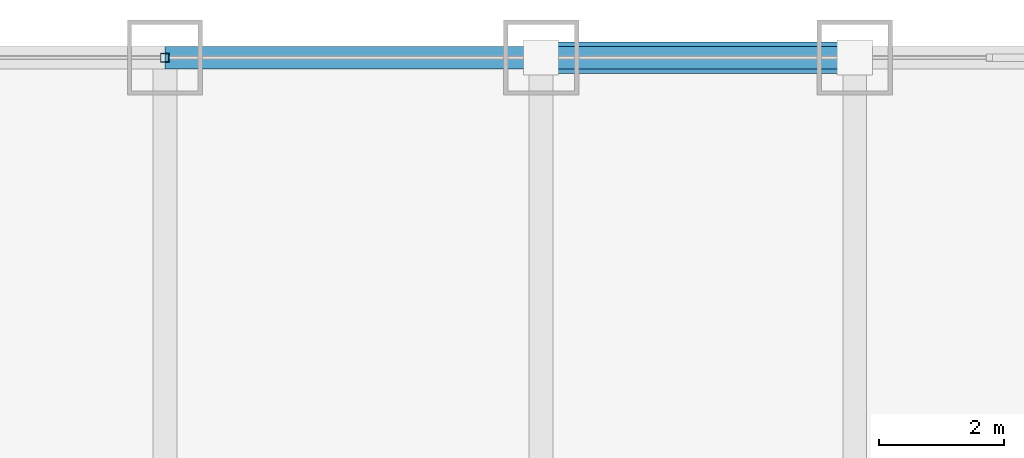
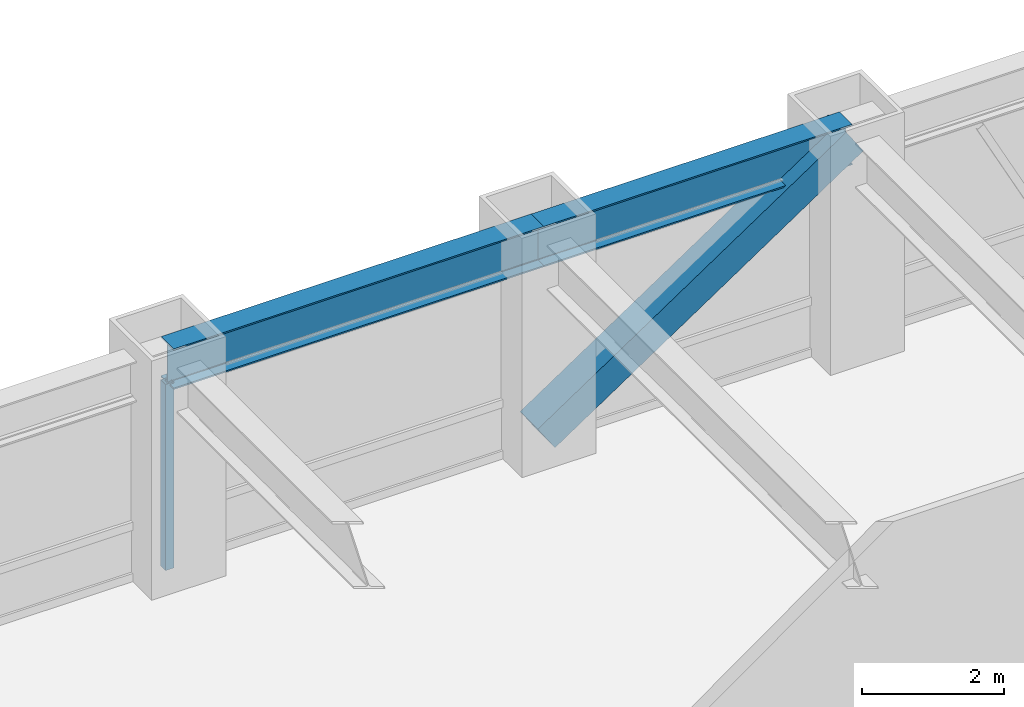
# One storey, part 19 of 27: 2 beams, 2 members, 1 element without a shape of its own.
"""IFC4 building model written with IfcOpenShell, lengths in metres."""

from ifc_helpers import new_model, si_unit, direction, frame, origin, origin_2d, place, context, subcontext, project, spatial, hollow_rectangle, i_section, extrude, source, transform, mapped, material, material_profile, profile_set, type_object, element, aggregate, save


model = new_model("IFC4")

# Units and contexts
model_context = context("Model", 3, precision=1e-05, world=origin(), true_north=direction((0.0, 1.0)))
body_context = subcontext(model_context, "Body", "Model", "MODEL_VIEW")
ifc_project = project(units=[si_unit("LENGTHUNIT", "METRE"), si_unit("AREAUNIT", "SQUARE_METRE"), si_unit("VOLUMEUNIT", "CUBIC_METRE"), si_unit("PLANEANGLEUNIT", "RADIAN"), si_unit("MASSUNIT", "GRAM", prefix="KILO")], contexts=[model_context])

# Site, building, storey
site_placement = place(None, origin())
site = spatial("IfcSite", under=ifc_project, at=site_placement, CompositionType="ELEMENT")
building_placement = place(site_placement, origin())
building = spatial("IfcBuilding", under=site, at=building_placement, Name="Khorayat Bourse Tower", CompositionType="ELEMENT")
storey_placement = place(building_placement, frame((0.0, 0.0, 107.800048828125)))
storey = spatial("IfcBuildingStorey", under=building, at=storey_placement, Name="L24", CompositionType="ELEMENT", Elevation=107.800048828125)

# Beams
ifc_material_1 = material(Name="Steel ASTM A992 Grade 50", Category="steel")
ifc_material_profile_1 = material_profile(ifc_material_1, i_section(OverallWidth=0.35498046875, OverallDepth=0.695068359375, WebThickness=0.015380859375, FlangeThickness=0.02490234375, FilletRadius=0.01806640625, at=origin_2d()), Name="W690X217")
ifc_profile_set_1 = profile_set([ifc_material_profile_1], Name="Steel ASTM A992 Grade 50")
beam_type = type_object("IfcBeamType", Name="BM-SPAN-690", PredefinedType="SPANDREL", material=ifc_profile_set_1)
shared_shape_1 = source(origin(), body_context, "Body", "SweptSolid", [
    extrude(i_section(OverallWidth=0.35498046875, OverallDepth=0.695068359375, WebThickness=0.015380859375, FlangeThickness=0.02490234375, FilletRadius=0.01806640625, at=origin_2d()), origin(), (0.0, 0.0, 1.0), 5.0),
])
beam_1_placement = place(storey_placement, frame((6.0, 32.0, 3.492431640625), z_axis=(1.0, 0.0, 0.0), x_axis=(0.0, 1.0, 0.0)))
element("IfcBeam", 1, at=beam_1_placement, inside=storey, type_object=beam_type, Name="L24 BM-SPAN-690 BM-L24-SPN-046", PredefinedType="SPANDREL", context=body_context, shape_type="MappedRepresentation", body=[
    mapped(shared_shape_1, transform((0.0, 0.0, 0.0), scale=1.0)),
])
shared_shape_2 = source(origin(), body_context, "Body", "SweptSolid", [
    extrude(i_section(OverallWidth=0.35498046875, OverallDepth=0.695068359375, WebThickness=0.015380859375, FlangeThickness=0.02490234375, FilletRadius=0.01806640625, at=origin_2d()), origin(), (0.0, 0.0, 1.0), 6.0),
])
beam_2_placement = place(storey_placement, frame((0.0, 32.0, 3.492431640625), z_axis=(1.0, 0.0, 0.0), x_axis=(0.0, 1.0, 0.0)))
element("IfcBeam", 2, at=beam_2_placement, inside=storey, type_object=beam_type, Name="L24 BM-SPAN-690 BM-L24-SPN-047", PredefinedType="SPANDREL", context=body_context, shape_type="MappedRepresentation", body=[
    mapped(shared_shape_2, transform((0.0, 0.0, 0.0), scale=1.0)),
])

# Member
ifc_material_2 = material(Name="Steel EN 10025-4 S460M", Category="steel")
ifc_material_profile_2 = material_profile(ifc_material_2, hollow_rectangle(XDim=0.5, YDim=0.5, WallThickness=0.028076171875, at=origin_2d()), Name="HSS 500x500x28")
ifc_profile_set_2 = profile_set([ifc_material_profile_2], Name="Steel EN 10025-4 S460M")
member_type_1 = type_object("IfcMemberType", Name="MBR-TUBE-500", PredefinedType="BRACE", material=ifc_profile_set_2)
shared_shape_3 = source(origin(), body_context, "Body", "SweptSolid", [
    extrude(hollow_rectangle(XDim=0.5, YDim=0.5, WallThickness=0.028076171875, at=origin_2d()), origin(), (0.0, 0.0, 1.0), 6.012939453125),
])
member_1_placement = place(storey_placement, frame((6.0, 32.0, 0.25), z_axis=(0.831550226979, 0.0, 0.555449565677), x_axis=(0.0, 1.0, 0.0)))
element("IfcMember", 3, at=member_1_placement, inside=storey, type_object=member_type_1, Name="L24 Perimeter Tube Brace 04", PredefinedType="BRACE", context=body_context, shape_type="MappedRepresentation", body=[
    mapped(shared_shape_3, transform((0.0, 0.0, 0.0), scale=1.0)),
])

# Curtain wall, member
ifc_material_3 = material(Name="Aluminium EN AW-6063 T6", Category="aluminium")
curtain_wall_type = type_object("IfcCurtainWallType", Name="CW-SYS-02", PredefinedType="NOTDEFINED", material=ifc_material_3)
curtain_wall_placement = place(storey_placement, origin())
curtain_wall = element("IfcCurtainWall", 4, at=curtain_wall_placement, inside=storey, type_object=curtain_wall_type, Name="L24 Curtain Wall CW-L24-N1", PredefinedType="NOTDEFINED")
ifc_material_profile_3 = material_profile(ifc_material_3, hollow_rectangle(XDim=0.139892578125, YDim=0.139892578125, WallThickness=0.006103515625, at=origin_2d()), Name="ALU 140x140x6")
ifc_profile_set_3 = profile_set([ifc_material_profile_3], Name="Aluminium EN AW-6063 T6")
member_type_2 = type_object("IfcMemberType", Name="CWM-VERT-140", PredefinedType="MULLION", material=ifc_profile_set_3)
shared_shape_4 = source(origin(), body_context, "Body", "SweptSolid", [
    extrude(hollow_rectangle(XDim=0.139892578125, YDim=0.139892578125, WallThickness=0.006103515625, at=origin_2d()), origin(), (0.0, 0.0, 1.0), 3.18994140625),
])
member_2_placement = place(storey_placement, frame((0.0, 32.0, 0.0), z_axis=(0.0, 0.0, 1.0), x_axis=(0.0, 1.0, 0.0)))
member_2 = element("IfcMember", 5, at=member_2_placement, type_object=member_type_2, Name="CW-L24-N1 Vertical Mullion 2", PredefinedType="MULLION", context=body_context, shape_type="MappedRepresentation", body=[
    mapped(shared_shape_4, transform((0.0, 0.0, 0.0), scale=1.0)),
])
aggregate(curtain_wall, [member_2])

save(model, "model.ifc")
